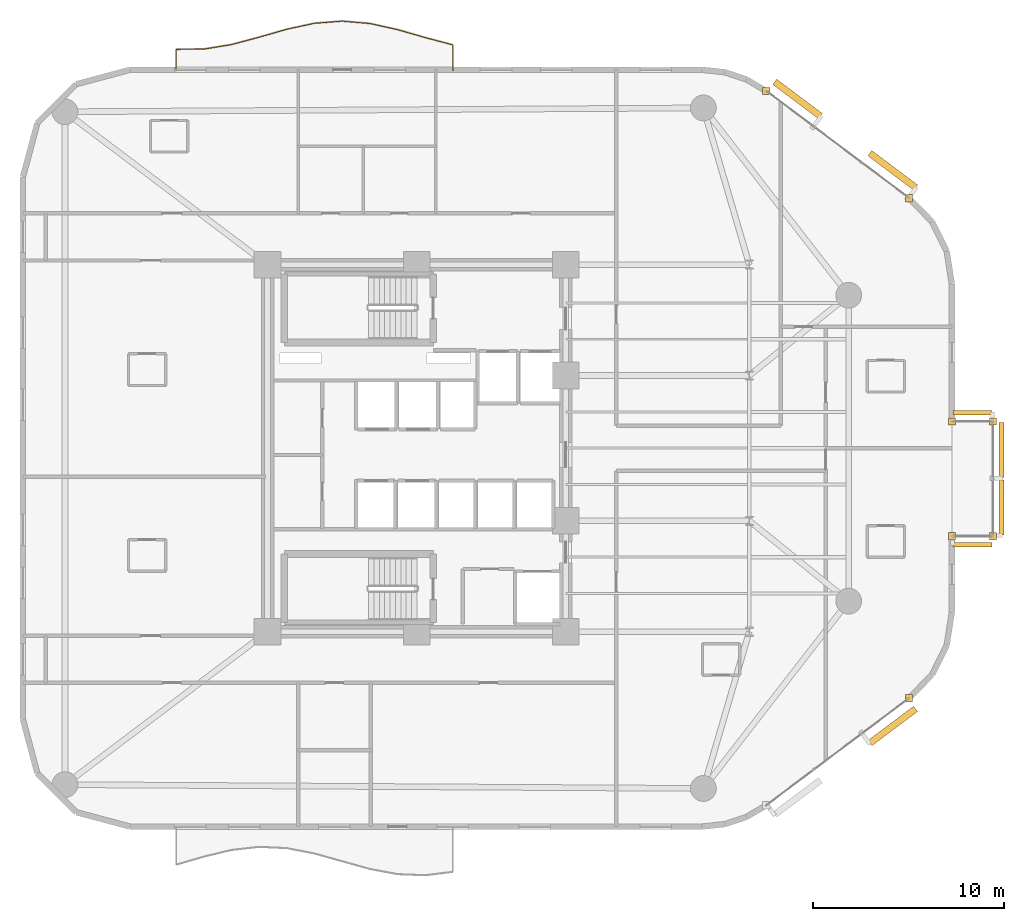
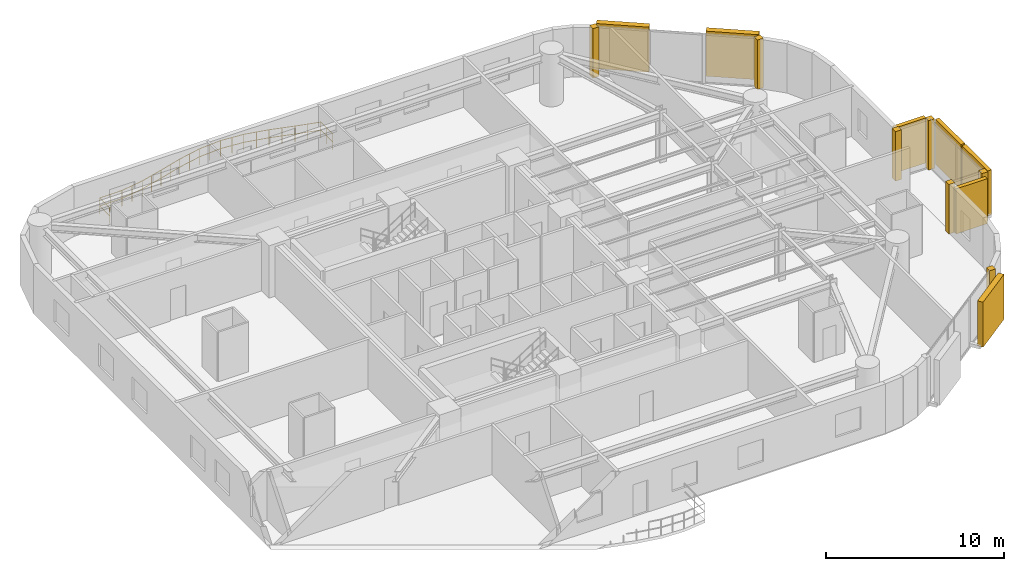
# One storey, part 14 of 14: 7 coverings, 7 shading devices, 1 railing.
"""IFC4 building model written with IfcOpenShell, lengths in metres."""

from ifc_helpers import new_model, si_unit, direction, frame, origin, origin_2d, place, context, subcontext, project, spatial, rectangle, circle, extrude, material, layer, layer_set, type_object, element, save


model = new_model("IFC4")

# Units and contexts
model_context = context("Model", 3, precision=1e-05, world=origin(), true_north=direction((0.0, 1.0)))
body_context = subcontext(model_context, "Body", "Model", "MODEL_VIEW")
ifc_project = project(units=[si_unit("LENGTHUNIT", "METRE"), si_unit("AREAUNIT", "SQUARE_METRE"), si_unit("VOLUMEUNIT", "CUBIC_METRE"), si_unit("PLANEANGLEUNIT", "RADIAN"), si_unit("MASSUNIT", "GRAM", prefix="KILO")], contexts=[model_context])

# Site, building, storey
site_placement = place(None, origin())
site = spatial("IfcSite", under=ifc_project, at=site_placement, CompositionType="ELEMENT")
building_placement = place(site_placement, origin())
building = spatial("IfcBuilding", under=site, at=building_placement, Name="An Khanh Terracotta Commons", CompositionType="ELEMENT")
storey_placement = place(building_placement, frame((0.0, 0.0, 104.300048828125)))
storey = spatial("IfcBuildingStorey", under=building, at=storey_placement, Name="L27", CompositionType="ELEMENT", Elevation=104.300048828125)

# Coverings
ifc_material_1 = material(Name="Fired Terracotta Rainscreen Cladding", Category="masonry")
ifc_layer = layer(ifc_material_1, 0.080078125, Name="Fired Terracotta Rainscreen Cladding")
ifc_layer_set = layer_set([ifc_layer], Name="Fired Terracotta Rainscreen Cladding")
covering_type = type_object("IfcCoveringType", Name="COV-JAMB-TERRA", PredefinedType="CLADDING", material=ifc_layer_set)
for number, where, z_axis, x_axis, name in (
    (1, (55.159912109375, 10.919921875, 0.0), (0.0, 0.0, 1.0), (1.0, 0.0, 0.0), "L27 CW-02 Curtain-Wall Jamb Closure JB"),
    (2, (59.550048828125, 19.39990234375, 0.0), (0.0, 0.0, 1.0), (1.0, 0.0, 0.0), "L27 CW-04 Curtain-Wall Jamb Closure JA"),
    (3, (59.550048828125, 25.39990234375, 0.0), (0.0, 0.0, 1.0), (1.0, 0.0, 0.0), "L27 CW-04 Curtain-Wall Jamb Closure JB"),
    (4, (57.39990234375, 19.39990234375, 0.0), (0.0, 0.0, 1.0), (1.0, 0.0, 0.0), "L27 CW-04 Curtain-Wall Jamb Closure JA"),
    (5, (57.39990234375, 25.39990234375, 0.0), (0.0, 0.0, 1.0), (1.0, 0.0, 0.0), "L27 CW-04 Curtain-Wall Jamb Closure JB"),
    (6, (55.159912109375, 37.080078125, 0.0), (0.0, 0.0, 1.0), (1.0, 0.0, 0.0), "L27 CW-02 Curtain-Wall Jamb Closure JA"),
    (7, (47.693115234375, 42.679931640625, 0.0), (0.0, 0.0, 1.0), (1.0, 0.0, 0.0), "L27 CW-02 Curtain-Wall Jamb Closure JB"),
):
    element("IfcCovering", number, at=place(storey_placement, frame(where, z_axis=z_axis, x_axis=x_axis)), inside=storey, type_object=covering_type, Name=name, PredefinedType="CLADDING", context=body_context, shape_type="SweptSolid", body=[
        extrude(rectangle(XDim=0.3798828125, YDim=0.3798828125, at=origin_2d()), origin(), (0.0, 0.0, 1.0), 3.39990234375),
    ])

# Railing
ifc_material_2 = material(Name="Brushed Stainless Steel 316", Category="steel")
railing_type = type_object("IfcRailingType", Name="RAIL-BALUSTRADE-1100", PredefinedType="BALUSTRADE", material=ifc_material_2)
railing_placement = place(storey_placement, frame((31.300048828125, 43.739990234375, 0.0)))
element("IfcRailing", 8, at=railing_placement, inside=storey, type_object=railing_type, Name="L27 N Wave Balcony Guard Balustrade", PredefinedType="BALUSTRADE", context=body_context, shape_type="SweptSolid", body=[
    extrude(circle(Radius=0.02392578125, at=origin_2d()), frame((0.0, 0.0, 1.076171875), z_axis=(0.0, 1.0, 0.0), x_axis=(-1.0, 0.0, 0.0)), (0.0, 0.0, 1.0), 1.35498046875),
    extrude(circle(Radius=0.02392578125, at=origin_2d()), frame((0.0, 0.0, 0.52587890625), z_axis=(0.0, 1.0, 0.0), x_axis=(-1.0, 0.0, 0.0)), (0.0, 0.0, 1.0), 1.35498046875),
    extrude(circle(Radius=0.02392578125, at=origin_2d()), frame((0.0, 1.35498046875, 1.076171875), z_axis=(-0.966829478834, 0.255422706228, 0.0), x_axis=(-0.255422706228, -0.966829478834, 0.0)), (0.0, 0.0, 1.0), 1.499755859375),
    extrude(circle(Radius=0.02392578125, at=origin_2d()), frame((0.0, 1.35498046875, 0.52587890625), z_axis=(-0.966829478834, 0.255422706228, 0.0), x_axis=(-0.255422706228, -0.966829478834, 0.0)), (0.0, 0.0, 1.0), 1.499755859375),
    extrude(circle(Radius=0.02392578125, at=origin_2d()), frame((-1.449951171875, 1.738037109375, 1.076171875), z_axis=(-0.961058562056, 0.276344785184, 0.0), x_axis=(-0.276344785184, -0.961058562056, 0.0)), (0.0, 0.0, 1.0), 1.509033203125),
    extrude(circle(Radius=0.02392578125, at=origin_2d()), frame((-1.449951171875, 1.738037109375, 0.52587890625), z_axis=(-0.961058562056, 0.276344785184, 0.0), x_axis=(-0.276344785184, -0.961058562056, 0.0)), (0.0, 0.0, 1.0), 1.509033203125),
    extrude(circle(Radius=0.02392578125, at=origin_2d()), frame((-2.900146484375, 2.155029296875, 1.076171875), z_axis=(-0.976353104199, 0.216181904701, 0.0), x_axis=(-0.216181904701, -0.976353104199, 0.0)), (0.0, 0.0, 1.0), 1.485107421875),
    extrude(circle(Radius=0.02392578125, at=origin_2d()), frame((-2.900146484375, 2.155029296875, 0.52587890625), z_axis=(-0.976353104199, 0.216181904701, 0.0), x_axis=(-0.216181904701, -0.976353104199, 0.0)), (0.0, 0.0, 1.0), 1.485107421875),
    extrude(circle(Radius=0.02392578125, at=origin_2d()), frame((-4.35009765625, 2.47607421875, 1.076171875), z_axis=(-0.996361724261, 0.085225080977, 0.0), x_axis=(-0.085225080977, -0.996361724261, 0.0)), (0.0, 0.0, 1.0), 1.455322265625),
    extrude(circle(Radius=0.02392578125, at=origin_2d()), frame((-4.35009765625, 2.47607421875, 0.52587890625), z_axis=(-0.996361724261, 0.085225080977, 0.0), x_axis=(-0.085225080977, -0.996361724261, 0.0)), (0.0, 0.0, 1.0), 1.455322265625),
    extrude(circle(Radius=0.02392578125, at=origin_2d()), frame((-5.800048828125, 2.60009765625, 1.076171875), z_axis=(-0.996974959363, -0.077723422493, 0.0), x_axis=(0.077723422493, -0.996974959363, 0.0)), (0.0, 0.0, 1.0), 1.454345703125),
    extrude(circle(Radius=0.02392578125, at=origin_2d()), frame((-5.800048828125, 2.60009765625, 0.52587890625), z_axis=(-0.996974959363, -0.077723422493, 0.0), x_axis=(0.077723422493, -0.996974959363, 0.0)), (0.0, 0.0, 1.0), 1.454345703125),
    extrude(circle(Radius=0.02392578125, at=origin_2d()), frame((-7.25, 2.487060546875, 1.076171875), z_axis=(-0.977349810179, -0.211630216516, 0.0), x_axis=(0.211630216516, -0.977349810179, 0.0)), (0.0, 0.0, 1.0), 1.483642578125),
    extrude(circle(Radius=0.02392578125, at=origin_2d()), frame((-7.25, 2.487060546875, 0.52587890625), z_axis=(-0.977349810179, -0.211630216516, 0.0), x_axis=(0.211630216516, -0.977349810179, 0.0)), (0.0, 0.0, 1.0), 1.483642578125),
    extrude(circle(Radius=0.02392578125, at=origin_2d()), frame((-8.699951171875, 2.173095703125, 1.076171875), z_axis=(-0.961230286482, -0.275746870062, 0.0), x_axis=(0.275746870062, -0.961230286482, 0.0)), (0.0, 0.0, 1.0), 1.5087890625),
    extrude(circle(Radius=0.02392578125, at=origin_2d()), frame((-8.699951171875, 2.173095703125, 0.52587890625), z_axis=(-0.961230286482, -0.275746870062, 0.0), x_axis=(0.275746870062, -0.961230286482, 0.0)), (0.0, 0.0, 1.0), 1.5087890625),
    extrude(circle(Radius=0.02392578125, at=origin_2d()), frame((-10.150146484375, 1.757080078125, 1.076171875), z_axis=(-0.966183617433, -0.257855031761, 0.0), x_axis=(0.257855031761, -0.966183617433, 0.0)), (0.0, 0.0, 1.0), 1.500732421875),
    extrude(circle(Radius=0.02392578125, at=origin_2d()), frame((-10.150146484375, 1.757080078125, 0.52587890625), z_axis=(-0.966183617433, -0.257855031761, 0.0), x_axis=(0.257855031761, -0.966183617433, 0.0)), (0.0, 0.0, 1.0), 1.500732421875),
    extrude(circle(Radius=0.02392578125, at=origin_2d()), frame((-11.60009765625, 1.3701171875, 1.076171875), z_axis=(-0.987107607012, -0.160058027539, 0.0), x_axis=(0.160058027539, -0.987107607012, 0.0)), (0.0, 0.0, 1.0), 1.468994140625),
    extrude(circle(Radius=0.02392578125, at=origin_2d()), frame((-11.60009765625, 1.3701171875, 0.52587890625), z_axis=(-0.987107607012, -0.160058027539, 0.0), x_axis=(0.160058027539, -0.987107607012, 0.0)), (0.0, 0.0, 1.0), 1.468994140625),
    extrude(circle(Radius=0.02392578125, at=origin_2d()), frame((-13.050048828125, 1.135009765625, 1.076171875), z_axis=(-0.999980594083, -0.006229884152, 0.0), x_axis=(0.006229884152, -0.999980594083, 0.0)), (0.0, 0.0, 1.0), 1.449951171875),
    extrude(circle(Radius=0.02392578125, at=origin_2d()), frame((-13.050048828125, 1.135009765625, 0.52587890625), z_axis=(-0.999980594083, -0.006229884152, 0.0), x_axis=(0.006229884152, -0.999980594083, 0.0)), (0.0, 0.0, 1.0), 1.449951171875),
    extrude(circle(Radius=0.02392578125, at=origin_2d()), frame((-14.5, 1.1259765625, 1.076171875), z_axis=(0.0, -1.0, 0.0), x_axis=(1.0, 0.0, 0.0)), (0.0, 0.0, 1.0), 1.1259765625),
    extrude(circle(Radius=0.02392578125, at=origin_2d()), frame((-14.5, 1.1259765625, 0.52587890625), z_axis=(0.0, -1.0, 0.0), x_axis=(1.0, 0.0, 0.0)), (0.0, 0.0, 1.0), 1.1259765625),
    extrude(circle(Radius=0.02099609375, at=origin_2d()), origin(), (0.0, 0.0, 1.0), 1.052001953125),
    extrude(circle(Radius=0.02099609375, at=origin_2d()), frame((0.0, 0.677490234375, 0.0)), (0.0, 0.0, 1.0), 1.052001953125),
    extrude(circle(Radius=0.02099609375, at=origin_2d()), frame((0.0, 1.35498046875, 0.0)), (0.0, 0.0, 1.0), 1.052001953125),
    extrude(circle(Radius=0.02099609375, at=origin_2d()), frame((-0.72509765625, 1.54638671875, 0.0)), (0.0, 0.0, 1.0), 1.052001953125),
    extrude(circle(Radius=0.02099609375, at=origin_2d()), frame((-1.449951171875, 1.738037109375, 0.0)), (0.0, 0.0, 1.0), 1.052001953125),
    extrude(circle(Radius=0.02099609375, at=origin_2d()), frame((-2.175048828125, 1.946533203125, 0.0)), (0.0, 0.0, 1.0), 1.052001953125),
    extrude(circle(Radius=0.02099609375, at=origin_2d()), frame((-2.900146484375, 2.155029296875, 0.0)), (0.0, 0.0, 1.0), 1.052001953125),
    extrude(circle(Radius=0.02099609375, at=origin_2d()), frame((-3.625, 2.3154296875, 0.0)), (0.0, 0.0, 1.0), 1.052001953125),
    extrude(circle(Radius=0.02099609375, at=origin_2d()), frame((-4.35009765625, 2.47607421875, 0.0)), (0.0, 0.0, 1.0), 1.052001953125),
    extrude(circle(Radius=0.02099609375, at=origin_2d()), frame((-5.0751953125, 2.5380859375, 0.0)), (0.0, 0.0, 1.0), 1.052001953125),
    extrude(circle(Radius=0.02099609375, at=origin_2d()), frame((-5.800048828125, 2.60009765625, 0.0)), (0.0, 0.0, 1.0), 1.052001953125),
    extrude(circle(Radius=0.02099609375, at=origin_2d()), frame((-6.52490234375, 2.54345703125, 0.0)), (0.0, 0.0, 1.0), 1.052001953125),
    extrude(circle(Radius=0.02099609375, at=origin_2d()), frame((-7.25, 2.487060546875, 0.0)), (0.0, 0.0, 1.0), 1.052001953125),
    extrude(circle(Radius=0.02099609375, at=origin_2d()), frame((-7.97509765625, 2.330078125, 0.0)), (0.0, 0.0, 1.0), 1.052001953125),
    extrude(circle(Radius=0.02099609375, at=origin_2d()), frame((-8.699951171875, 2.173095703125, 0.0)), (0.0, 0.0, 1.0), 1.052001953125),
    extrude(circle(Radius=0.02099609375, at=origin_2d()), frame((-9.425048828125, 1.965087890625, 0.0)), (0.0, 0.0, 1.0), 1.052001953125),
    extrude(circle(Radius=0.02099609375, at=origin_2d()), frame((-10.150146484375, 1.757080078125, 0.0)), (0.0, 0.0, 1.0), 1.052001953125),
    extrude(circle(Radius=0.02099609375, at=origin_2d()), frame((-10.875, 1.5634765625, 0.0)), (0.0, 0.0, 1.0), 1.052001953125),
    extrude(circle(Radius=0.02099609375, at=origin_2d()), frame((-11.60009765625, 1.3701171875, 0.0)), (0.0, 0.0, 1.0), 1.052001953125),
    extrude(circle(Radius=0.02099609375, at=origin_2d()), frame((-12.3251953125, 1.25244140625, 0.0)), (0.0, 0.0, 1.0), 1.052001953125),
    extrude(circle(Radius=0.02099609375, at=origin_2d()), frame((-13.050048828125, 1.135009765625, 0.0)), (0.0, 0.0, 1.0), 1.052001953125),
    extrude(circle(Radius=0.02099609375, at=origin_2d()), frame((-13.77490234375, 1.13037109375, 0.0)), (0.0, 0.0, 1.0), 1.052001953125),
    extrude(circle(Radius=0.02099609375, at=origin_2d()), frame((-14.5, 1.1259765625, 0.0)), (0.0, 0.0, 1.0), 1.052001953125),
    extrude(circle(Radius=0.02099609375, at=origin_2d()), frame((-14.5, 0.0, 0.0)), (0.0, 0.0, 1.0), 1.052001953125),
])

# Shading devices
ifc_material_3 = material(Name="Warm Hardwood Timber-Finish Aluminium", Category="wood")
shading_device_type_1 = type_object("IfcShadingDeviceType", Name="Shifted Box Timber-Toned Louvre Screen", PredefinedType="USERDEFINED", material=ifc_material_3)
for number, where, z_axis, x_axis, name in (
    (9, (60.0, 20.89990234375, 0.14990234375), (0.0, 0.0, 1.0), (0.0, 1.0, 0.0), "L27 Louvre Screen 1"),
    (10, (60.0, 23.89990234375, 0.14990234375), (0.0, 0.0, 1.0), (0.0, 1.0, 0.0), "L27 Louvre Screen 2"),
):
    element("IfcShadingDevice", number, at=place(storey_placement, frame(where, z_axis=z_axis, x_axis=x_axis)), inside=storey, type_object=shading_device_type_1, Name=name, ObjectType="LOUVRE", PredefinedType="USERDEFINED", context=body_context, shape_type="SweptSolid", body=[
        extrude(rectangle(XDim=2.8798828125, YDim=0.25, at=origin_2d()), origin(), (0.0, 0.0, 1.0), 3.10009765625),
    ])
for number, where, z_axis, x_axis, name in (
    (11, (58.47509765625, 18.949951171875, 0.14990234375), (0.0, 0.0, 1.0), (1.0, 0.0, 0.0), "L27 Louvre Screen 1"),
    (12, (58.47509765625, 25.85009765625, 0.14990234375), (0.0, 0.0, 1.0), (-1.0, 0.0, 0.0), "L27 Louvre Screen 1"),
):
    element("IfcShadingDevice", number, at=place(storey_placement, frame(where, z_axis=z_axis, x_axis=x_axis)), inside=storey, type_object=shading_device_type_1, Name=name, ObjectType="LOUVRE", PredefinedType="USERDEFINED", context=body_context, shape_type="SweptSolid", body=[
        extrude(rectangle(XDim=2.030029296875, YDim=0.25, at=origin_2d()), origin(), (0.0, 0.0, 1.0), 3.10009765625),
    ])
ifc_material_4 = material(Name="Extruded Fired Terracotta", Category="masonry")
shading_device_type_2 = type_object("IfcShadingDeviceType", Name="Terracotta Baguette Screen Assembly", PredefinedType="USERDEFINED", material=ifc_material_4)
for number, where, z_axis, x_axis, name in (
    (13, (54.304931640625, 9.467041015625, 0.14990234375), (0.0, 0.0, 1.0), (0.800012856594, 0.599982857492, 0.0), "L27 Terracotta Baguette Screen 3"),
    (14, (54.304931640625, 38.532958984375, 0.14990234375), (0.0, 0.0, 1.0), (-0.800012856594, 0.599982857492, 0.0), "L27 Terracotta Baguette Screen 1"),
    (15, (49.326904296875, 42.26708984375, 0.14990234375), (0.0, 0.0, 1.0), (-0.800012856594, 0.599982857492, 0.0), "L27 Terracotta Baguette Screen 3"),
):
    element("IfcShadingDevice", number, at=place(storey_placement, frame(where, z_axis=z_axis, x_axis=x_axis)), inside=storey, type_object=shading_device_type_2, Name=name, ObjectType="BAGUETTE", PredefinedType="USERDEFINED", context=body_context, shape_type="SweptSolid", body=[
        extrude(rectangle(XDim=2.990966796875, YDim=0.35009765625, at=origin_2d()), origin(), (0.0, 0.0, 1.0), 3.10009765625),
    ])

save(model, "model.ifc")
